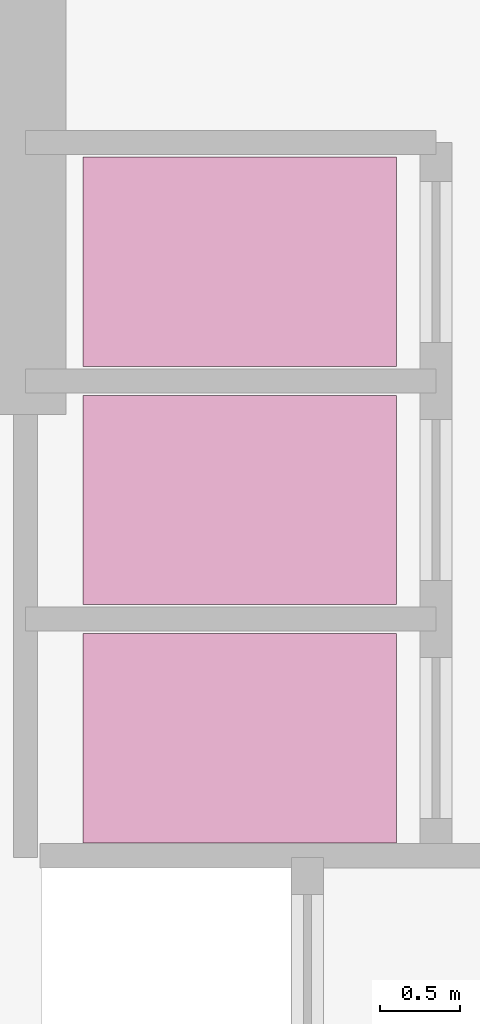
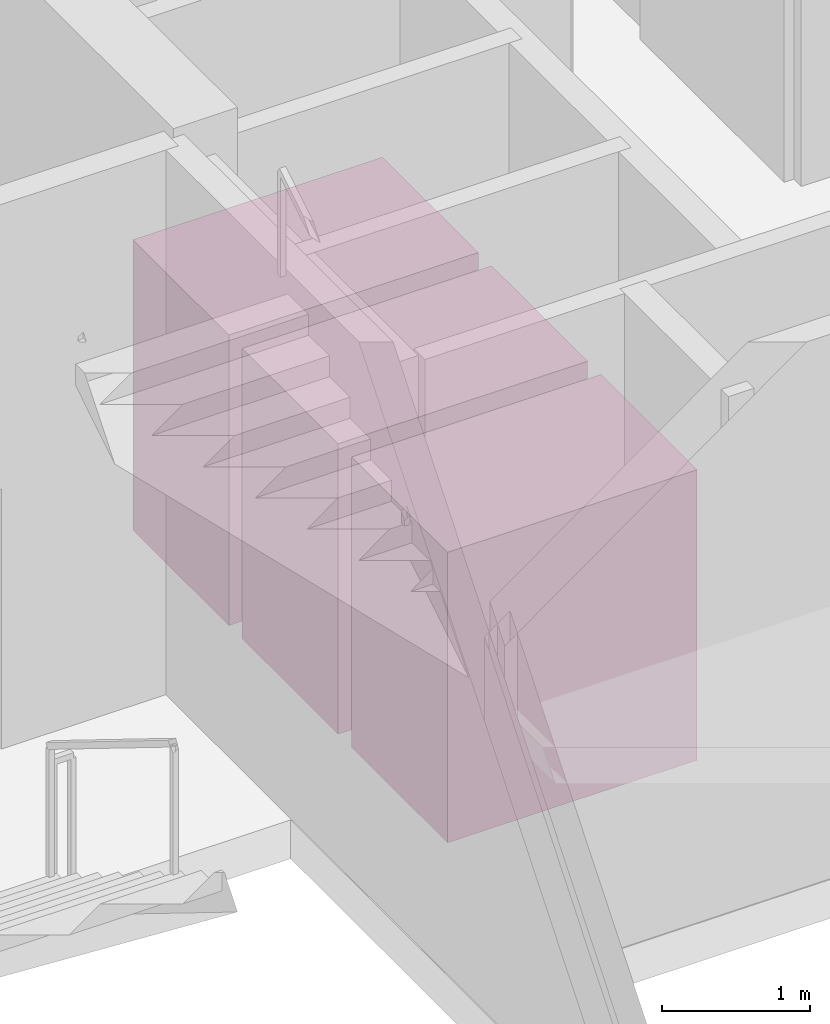
# One storey, part 9 of 9: 3 transport elements.
"""IFC4 building model written with IfcOpenShell, lengths in metres."""

from ifc_helpers import new_model, si_unit, direction, frame, origin, origin_2d, place, context, subcontext, project, spatial, rectangle, extrude, material, type_object, element, save


model = new_model("IFC4")

# Units and contexts
model_context = context("Model", 3, precision=1e-05, world=origin(), true_north=direction((0.0, 1.0)))
body_context = subcontext(model_context, "Body", "Model", "MODEL_VIEW")
ifc_project = project(units=[si_unit("LENGTHUNIT", "METRE"), si_unit("AREAUNIT", "SQUARE_METRE"), si_unit("VOLUMEUNIT", "CUBIC_METRE"), si_unit("PLANEANGLEUNIT", "RADIAN"), si_unit("MASSUNIT", "GRAM", prefix="KILO")], contexts=[model_context])

# Site, building, storey
site_placement = place(None, origin())
site = spatial("IfcSite", under=ifc_project, at=site_placement, CompositionType="ELEMENT")
building_placement = place(site_placement, origin())
building = spatial("IfcBuilding", under=site, at=building_placement, Name="Kilnhurst Terrace Hotel", CompositionType="ELEMENT")
storey_placement = place(building_placement, frame((0.0, 0.0, -4.5)))
storey = spatial("IfcBuildingStorey", under=building, at=storey_placement, Name="B1", CompositionType="ELEMENT", Elevation=-4.5)

# Transport elements
ifc_material = material(Name="Bronze Stainless Steel AISI 316L and Stone Passenger Cab", Category="masonry")
transport_element_type = type_object("IfcTransportElementType", Name="LFT-PAX-1600KG", PredefinedType="ELEVATOR", material=ifc_material)
for number, where, z_axis, x_axis, name in (
    (1, (-3.1201171875, 0.239990234375, 0.0), (0.0, 0.0, 1.0), (1.0, 0.0, 0.0), "Low Rise Passenger Elevator LR-1"),
    (2, (-3.1201171875, 1.719970703125, 0.0), (0.0, 0.0, 1.0), (1.0, 0.0, 0.0), "Low Rise Passenger Elevator LR-2"),
    (3, (-3.1201171875, 3.199951171875, 0.0), (0.0, 0.0, 1.0), (1.0, 0.0, 0.0), "Low Rise Passenger Elevator LR-3"),
):
    element("IfcTransportElement", number, at=place(storey_placement, frame(where, z_axis=z_axis, x_axis=x_axis)), inside=storey, type_object=transport_element_type, Name=name, PredefinedType="ELEVATOR", context=body_context, shape_type="SweptSolid", body=[
        extrude(rectangle(XDim=1.949951171875, YDim=1.300048828125, at=origin_2d()), origin(), (0.0, 0.0, 1.0), 2.39990234375),
    ])

save(model, "model.ifc")
